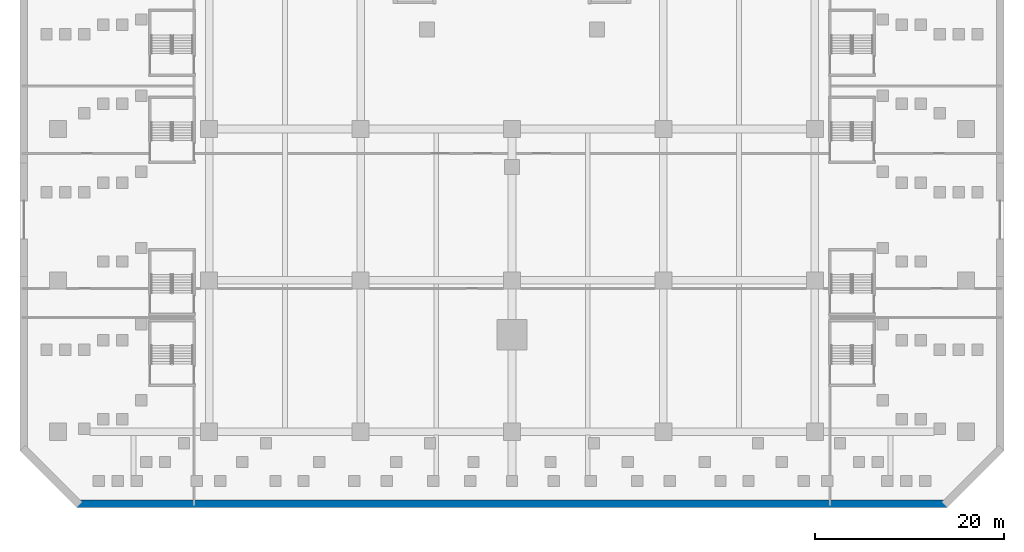
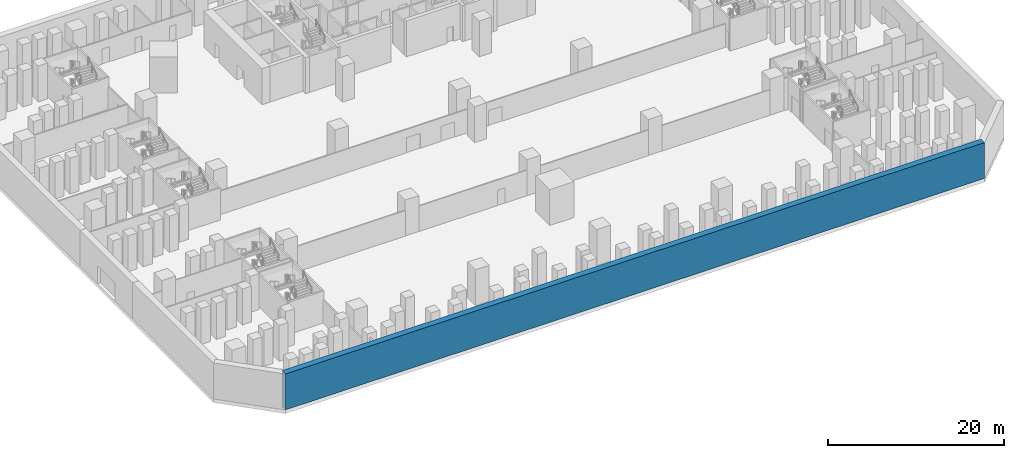
# One storey, part 5 of 24: 1 wall.
"""IFC4 building model written with IfcOpenShell, lengths in metres."""

from ifc_helpers import new_model, si_unit, direction, frame, frame_2d, origin, place, context, subcontext, project, spatial, rectangle, extrude, material, layer, layer_set, type_object, element, save


model = new_model("IFC4")

# Units and contexts
model_context = context("Model", 3, precision=1e-05, world=origin(), true_north=direction((0.0, 1.0)))
body_context = subcontext(model_context, "Body", "Model", "MODEL_VIEW")
ifc_project = project(units=[si_unit("LENGTHUNIT", "METRE"), si_unit("AREAUNIT", "SQUARE_METRE"), si_unit("VOLUMEUNIT", "CUBIC_METRE"), si_unit("PLANEANGLEUNIT", "RADIAN"), si_unit("MASSUNIT", "GRAM", prefix="KILO")], contexts=[model_context])

# Site, building, storey
site_placement = place(None, origin())
site = spatial("IfcSite", under=ifc_project, at=site_placement, CompositionType="ELEMENT")
building_placement = place(site_placement, origin())
building = spatial("IfcBuilding", under=site, at=building_placement, Name="Calabash Gate Tower", CompositionType="ELEMENT")
storey_placement = place(building_placement, frame((0.0, 0.0, -5.0)))
storey = spatial("IfcBuildingStorey", under=building, at=storey_placement, Name="B1", CompositionType="ELEMENT", Elevation=-5.0)

# Wall
ifc_material = material(Name="Concrete C60/75", Category="concrete")
ifc_layer = layer(ifc_material, 0.800048828125)
ifc_layer_set = layer_set([ifc_layer], Name="Diaphragm wall 800 Concrete C60/75")
wall_type = type_object("IfcWallType", Name="Diaphragm wall 800 Concrete C60/75", PredefinedType="SHEAR", material=ifc_layer_set)
wall_placement = place(storey_placement, frame((-46.0, -47.60009765625, 0.0), z_axis=(0.0, 0.0, 1.0), x_axis=(1.0, 0.0, 0.0)))
element("IfcWall", 1, at=wall_placement, inside=storey, type_object=wall_type, Name="Diaphragm wall B1", PredefinedType="SHEAR", context=body_context, shape_type="SweptSolid", body=[
    extrude(rectangle(XDim=92.0, YDim=0.800048828125, at=frame_2d((46.0, 0.0))), origin(), (0.0, 0.0, 1.0), 5.0),
])

save(model, "model.ifc")
